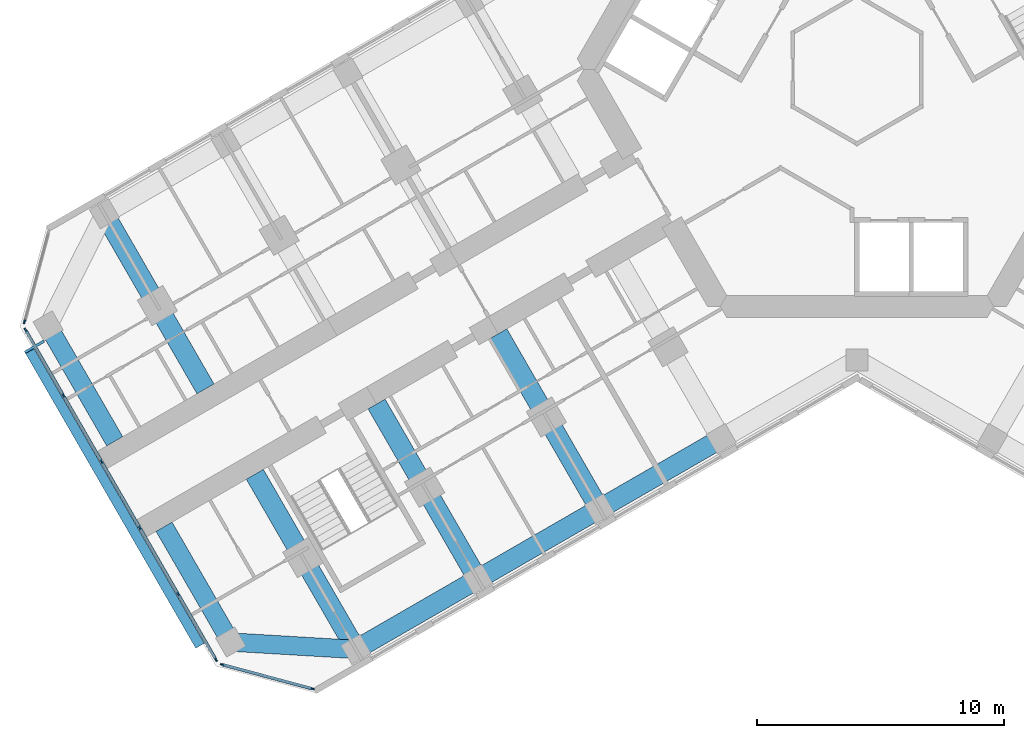
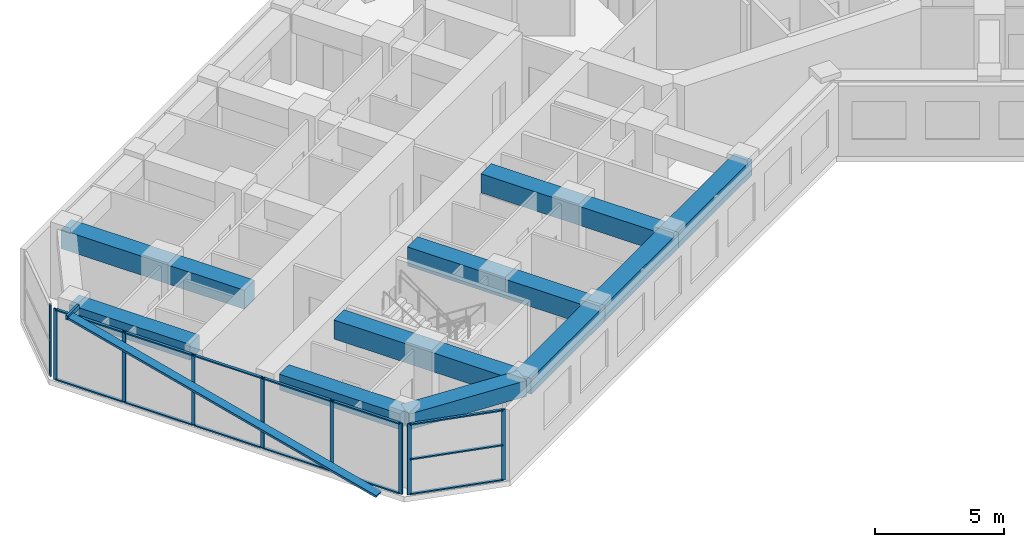
# One storey, part 2 of 19: 24 members, 10 beams, 3 elements without a shape of their own.
"""IFC4 building model written with IfcOpenShell, lengths in metres."""

import ifcopenshell
import ifcopenshell.guid

model = None  # the IFC model being written
_history = None  # IfcOwnerHistory: only IFC2X3 demands one
_inside = {}  # id of a spatial element -> (the spatial element, [elements in it])
_under = {}  # id of a project, library or spatial element -> (it, [spatial elements below it])
_declared = {}  # id of a project -> (the project, [libraries it declares])
_typed = {}  # id of a type object -> (the type object, [elements of that type])
_made_of = {}  # id of a material, layer set ... -> (it, [elements and type objects made of it])


def new_model(schema):
    """Start an empty IFC model of exactly this schema.

    Asked for "IFC4X3", IfcOpenShell would pick the latest addendum, in which some entities
    have other attributes; the version numbers below select the first issue.
    IFC2X3 requires an IfcOwnerHistory on every rooted entity: one is made here for all.
    """
    global model, _history
    if schema == "IFC4X3":
        model = ifcopenshell.file(schema_version=(4, 3, 0, 0))
    else:
        model = ifcopenshell.file(schema=schema)
    _inside.clear()
    _under.clear()
    _declared.clear()
    _typed.clear()
    _made_of.clear()
    _history = None
    if model.schema == "IFC2X3":
        org = make("IfcOrganization", Name="unknown")
        user = make(
            "IfcPersonAndOrganization",
            ThePerson=make("IfcPerson", FamilyName="unknown"),
            TheOrganization=org,
        )
        app = make(
            "IfcApplication",
            ApplicationDeveloper=org,
            Version="unknown",
            ApplicationFullName="unknown",
            ApplicationIdentifier="unknown",
        )
        _history = make(
            "IfcOwnerHistory",
            OwningUser=user,
            OwningApplication=app,
            ChangeAction="ADDED",
            CreationDate=0,
        )
    return model


def make(cls, **values):
    """One entity of the class cls with the attributes given. An attribute that is None is left unset."""
    return model.create_entity(
        cls, **{name: value for name, value in values.items() if value is not None}
    )


def rooted(cls, **values):
    """An entity with a GlobalId (a new one), such as an element, a storey or a relation."""
    return make(cls, GlobalId=ifcopenshell.guid.new(), OwnerHistory=_history, **values)


def si_unit(unit_type, name, prefix=None):
    """IfcSIUnit, for example si_unit("LENGTHUNIT", "METRE", prefix="MILLI")."""
    return make("IfcSIUnit", UnitType=unit_type, Prefix=prefix, Name=name)


def assignment(units):
    """IfcUnitAssignment: the units of a project."""
    return None if units is None else make("IfcUnitAssignment", Units=units)


def point(xyz):
    """IfcCartesianPoint."""
    return None if xyz is None else make("IfcCartesianPoint", Coordinates=xyz)


def direction(xyz):
    """IfcDirection."""
    return None if xyz is None else make("IfcDirection", DirectionRatios=xyz)


def frame(location, z_axis=None, x_axis=None):
    """IfcAxis2Placement3D, a coordinate frame: its origin and axes. An axis left out is left unset."""
    return make(
        "IfcAxis2Placement3D",
        Location=point(location),
        Axis=direction(z_axis),
        RefDirection=direction(x_axis),
    )


def frame_2d(location, x_axis=None):
    """IfcAxis2Placement2D, a coordinate frame in the plane: its origin and x axis."""
    return make(
        "IfcAxis2Placement2D", Location=point(location), RefDirection=direction(x_axis)
    )


def origin():
    """The frame at (0, 0, 0) with its axes left unset."""
    return frame((0.0, 0.0, 0.0))


def origin_2d():
    """The frame at (0, 0) in the plane with its x axis left unset."""
    return frame_2d((0.0, 0.0))


def place(relative_to, where):
    """IfcLocalPlacement: puts the frame where relative to a parent placement (None: the world)."""
    return make(
        "IfcLocalPlacement", PlacementRelTo=relative_to, RelativePlacement=where
    )


def context(
    kind, dimensions, precision=None, world=None, true_north=None, identifier=None
):
    """IfcGeometricRepresentationContext, for example the 3D "Model" context."""
    return make(
        "IfcGeometricRepresentationContext",
        ContextIdentifier=identifier,
        ContextType=kind,
        CoordinateSpaceDimension=dimensions,
        Precision=precision,
        WorldCoordinateSystem=world,
        TrueNorth=true_north,
    )


def subcontext(parent, identifier, kind, view, scale=None):
    """IfcGeometricRepresentationSubContext, for example "Body" below "Model"."""
    return make(
        "IfcGeometricRepresentationSubContext",
        ContextIdentifier=identifier,
        ContextType=kind,
        ParentContext=parent,
        TargetScale=scale,
        TargetView=view,
    )


def project(units=None, contexts=None):
    """IfcProject with its units and contexts."""
    return rooted(
        "IfcProject",
        Name="project",
        RepresentationContexts=contexts,
        UnitsInContext=assignment(units),
    )


def spatial(cls, under=None, at=None, **own):
    """A site, building, storey or space (cls), placed at a placement, below another one or the project."""
    s = rooted(cls, ObjectPlacement=at, **own)
    if under is not None:
        _under.setdefault(under.id(), (under, []))[1].append(s)
    return s


def profile(cls, at=None, kind="AREA", **sizes):
    """A parametric profile (cls). Its sizes go by their IFC names, for example OverallWidth=200.0."""
    return make(cls, ProfileType=kind, Position=at, **sizes)


def rectangle(**sizes):
    """IfcRectangleProfileDef."""
    return profile("IfcRectangleProfileDef", **sizes)


def hollow_rectangle(**sizes):
    """IfcRectangleHollowProfileDef."""
    return profile("IfcRectangleHollowProfileDef", **sizes)


def extrude(swept, where, along, depth):
    """IfcExtrudedAreaSolid: the profile swept, set in the frame where, extruded along a direction by depth."""
    return make(
        "IfcExtrudedAreaSolid",
        SweptArea=swept,
        Position=where,
        ExtrudedDirection=direction(along),
        Depth=depth,
    )


def shape(context_of_items, identifier, shape_type, items):
    """IfcShapeRepresentation: the items that make up one representation, for example the "Body"."""
    return make(
        "IfcShapeRepresentation",
        ContextOfItems=context_of_items,
        RepresentationIdentifier=identifier,
        RepresentationType=shape_type,
        Items=items,
    )


def material(Name=None, Category=None):
    """IfcMaterial."""
    return make("IfcMaterial", Name=Name, Category=Category)


def material_profile(
    of_material, cross_section, Name=None, Category=None, Priority=None
):
    """IfcMaterialProfile: a cross section and its material."""
    return make(
        "IfcMaterialProfile",
        Name=Name,
        Material=of_material,
        Profile=cross_section,
        Priority=Priority,
        Category=Category,
    )


def profile_set(profiles, Name=None, composite=None):
    """IfcMaterialProfileSet."""
    return make(
        "IfcMaterialProfileSet",
        Name=Name,
        MaterialProfiles=profiles,
        CompositeProfile=composite,
    )


def made_of(thing, what):
    """Note that an element or type object is made of a material, layer set ...; save() writes the relation."""
    if what is not None:
        _made_of.setdefault(what.id(), (what, []))[1].append(thing)
    return thing


def type_object(cls, material=None, **own):
    """A type object (cls), such as IfcWallType, which elements share."""
    return made_of(rooted(cls, **own), material)


def element(
    cls,
    number,
    at=None,
    inside=None,
    cuts=None,
    type_object=None,
    material=None,
    context=None,
    identifier="Body",
    shape_type=None,
    held_by="IfcProductDefinitionShape",
    body=None,
    shapes=None,
    **own,
):
    """One element of the class cls, such as IfcWall. Its Tag is "e" and its number.

    at: its placement. inside: the storey or other place that contains it. cuts: it is an
    opening in that element (IfcRelVoidsElement). A single representation is given by context,
    identifier, shape_type and body (its items); several are given by shapes. held_by: the class
    of the entity that holds the representations. save() writes the other relations.
    """
    e = rooted(cls, Tag="e%d" % number, ObjectPlacement=at, **own)
    if body is not None:
        shapes = [shape(context, identifier, shape_type, body)]
    if shapes is not None:
        e.Representation = make(held_by, Representations=shapes)
    if inside is not None:
        _inside.setdefault(inside.id(), (inside, []))[1].append(e)
    if cuts is not None:
        rooted(
            "IfcRelVoidsElement", RelatingBuildingElement=cuts, RelatedOpeningElement=e
        )
    if type_object is not None:
        _typed.setdefault(type_object.id(), (type_object, []))[1].append(e)
    return made_of(e, material)


def aggregate(whole, parts):
    """IfcRelAggregates: a whole, such as a stair, and the parts it consists of."""
    return rooted("IfcRelAggregates", RelatingObject=whole, RelatedObjects=parts)


def save(model, path):
    """Write the relations noted so far, then the file.

    IfcRelAggregates (storeys below a building ...), IfcRelContainedInSpatialStructure (elements
    in a storey), IfcRelDefinesByType, IfcRelAssociatesMaterial and IfcRelDeclares: one each for
    every whole, place, type object, material and project.
    """
    for whole, parts in _under.values():
        aggregate(whole, parts)
    for where, things in _inside.values():
        rooted(
            "IfcRelContainedInSpatialStructure",
            RelatedElements=things,
            RelatingStructure=where,
        )
    for kind, things in _typed.values():
        rooted("IfcRelDefinesByType", RelatedObjects=things, RelatingType=kind)
    for what, things in _made_of.values():
        rooted("IfcRelAssociatesMaterial", RelatedObjects=things, RelatingMaterial=what)
    for by, libraries in _declared.values():
        rooted("IfcRelDeclares", RelatingContext=by, RelatedDefinitions=libraries)
    model.write(path)


model = new_model("IFC4")

# Units and contexts
model_context = context("Model", 3, precision=1e-05, world=origin(), true_north=direction((0.0, 1.0)))
body_context = subcontext(model_context, "Body", "Model", "MODEL_VIEW")
ifc_project = project(units=[si_unit("LENGTHUNIT", "METRE"), si_unit("AREAUNIT", "SQUARE_METRE"), si_unit("VOLUMEUNIT", "CUBIC_METRE"), si_unit("PLANEANGLEUNIT", "RADIAN"), si_unit("MASSUNIT", "GRAM", prefix="KILO")], contexts=[model_context])

# Site, building, storey
site_placement = place(None, origin())
site = spatial("IfcSite", under=ifc_project, at=site_placement, CompositionType="ELEMENT")
building_placement = place(site_placement, origin())
building = spatial("IfcBuilding", under=site, at=building_placement, Name="Kosmar Iwan School Tower", CompositionType="ELEMENT")
storey_placement = place(building_placement, frame((0.0, 0.0, 149.0)))
storey = spatial("IfcBuildingStorey", under=building, at=storey_placement, Name="L37", CompositionType="ELEMENT", Elevation=149.0)

# Members
ifc_material_1 = material(Name="Black anodised aluminium", Category="aluminium")
ifc_material_profile_1 = material_profile(ifc_material_1, rectangle(XDim=0.10009765625, YDim=0.39990234375, at=origin_2d()), Name="FIN 100x400")
ifc_profile_set_1 = profile_set([ifc_material_profile_1], Name="Black anodised aluminium")
member_type_1 = type_object("IfcMemberType", Name="Diagonal fin 100x400", PredefinedType="USERDEFINED", material=ifc_profile_set_1)
member_1_placement = place(storey_placement, frame((-26.645263671875, -23.34912109375, -0.14990234375), z_axis=(-0.483795538458, 0.837973939202, 0.252470897702), x_axis=(0.126233699175, -0.218647221293, 0.967604488318)))
element("IfcMember", 1, at=member_1_placement, inside=storey, type_object=member_type_1, Name="Diagonal fin L37-F13", ObjectType="FIN", PredefinedType="USERDEFINED", context=body_context, shape_type="SweptSolid", body=[
    extrude(rectangle(XDim=0.10009765625, YDim=0.39990234375, at=origin_2d()), origin(), (0.0, 0.0, 1.0), 14.258544921875),
])
ifc_material_2 = material(Name="Steel S355", Category="steel")
ifc_material_profile_2 = material_profile(ifc_material_2, hollow_rectangle(XDim=0.10009765625, YDim=0.199951171875, WallThickness=0.008056640625, at=origin_2d()), Name="RHS 200x100x8")
ifc_profile_set_2 = profile_set([ifc_material_profile_2], Name="Steel S355")
member_type_2 = type_object("IfcMemberType", Name="Fin bracket RHS 200x100", PredefinedType="USERDEFINED", material=ifc_profile_set_2)
member_2_placement = place(storey_placement, frame((-32.963134765625, -11.006103515625, 3.47509765625), z_axis=(-0.866081705922, -0.499902469156, 0.0), x_axis=(0.499902469156, -0.866081705922, 0.0)))
element("IfcMember", 2, at=member_2_placement, inside=storey, type_object=member_type_2, Name="Fin bracket L38", ObjectType="FIN BRACKET", PredefinedType="USERDEFINED", context=body_context, shape_type="SweptSolid", body=[
    extrude(hollow_rectangle(XDim=0.10009765625, YDim=0.199951171875, WallThickness=0.008056640625, at=origin_2d()), origin(), (0.0, 0.0, 1.0), 0.900146484375),
])

# Curtain wall, member
ifc_material_3 = material(Name="Dark glass in black aluminium frame", Category="aluminium")
curtain_wall_type_1 = type_object("IfcCurtainWallType", Name="Chamfer curtain wall dark glass", PredefinedType="USERDEFINED", material=ifc_material_3)
curtain_wall_1_placement = place(storey_placement, origin())
curtain_wall_1 = element("IfcCurtainWall", 3, at=curtain_wall_1_placement, inside=storey, type_object=curtain_wall_type_1, Name="Curtain wall L37-F12", ObjectType="FACETED CURTAIN WALL", PredefinedType="USERDEFINED")
ifc_material_4 = material(Name="Black anodised aluminium", Category="aluminium")
ifc_material_profile_3 = material_profile(ifc_material_4, rectangle(XDim=0.06005859375, YDim=0.159912109375, at=origin_2d()), Name="MULLION 60x160")
ifc_profile_set_3 = profile_set([ifc_material_profile_3], Name="Black anodised aluminium")
member_type_3 = type_object("IfcMemberType", Name="Mullion 60x160", PredefinedType="MULLION", material=ifc_profile_set_3)
member_3_placement = place(storey_placement, frame((-33.7587890625, -10.2236328125, 0.0), z_axis=(0.0, 0.0, 1.0), x_axis=(0.965925875495, -0.258818861462, 0.0)))
member_3 = element("IfcMember", 4, at=member_3_placement, type_object=member_type_3, Name="CW2 mullion 2", PredefinedType="MULLION", context=body_context, shape_type="SweptSolid", body=[
    extrude(rectangle(XDim=0.06005859375, YDim=0.159912109375, at=origin_2d()), origin(), (0.0, 0.0, 1.0), 3.35009765625),
])
aggregate(curtain_wall_1, [member_3])

# Curtain wall, members
ifc_material_5 = material(Name="Dark glass in black aluminium frame", Category="aluminium")
curtain_wall_type_2 = type_object("IfcCurtainWallType", Name="Tower curtain wall dark glass", PredefinedType="USERDEFINED", material=ifc_material_5)
curtain_wall_2_placement = place(storey_placement, origin())
curtain_wall_2 = element("IfcCurtainWall", 5, at=curtain_wall_2_placement, inside=storey, type_object=curtain_wall_type_2, Name="Curtain wall L37-F13", ObjectType="UNITISED CURTAIN WALL", PredefinedType="USERDEFINED")
member_4_placement = place(storey_placement, frame((-33.71533203125, -10.55322265625, 0.0), z_axis=(0.0, 0.0, 1.0), x_axis=(0.866025405329, 0.499999997325, 0.0)))
member_4 = element("IfcMember", 6, at=member_4_placement, type_object=member_type_3, Name="CW1 mullion 1", PredefinedType="MULLION", context=body_context, shape_type="SweptSolid", body=[
    extrude(rectangle(XDim=0.06005859375, YDim=0.159912109375, at=origin_2d()), origin(), (0.0, 0.0, 1.0), 3.35009765625),
])
member_5_placement = place(storey_placement, frame((-32.1806640625, -13.21142578125, 0.0), z_axis=(0.0, 0.0, 1.0), x_axis=(0.866025405329, 0.499999997325, 0.0)))
member_5 = element("IfcMember", 7, at=member_5_placement, type_object=member_type_3, Name="CW1 mullion 2", PredefinedType="MULLION", context=body_context, shape_type="SweptSolid", body=[
    extrude(rectangle(XDim=0.06005859375, YDim=0.159912109375, at=origin_2d()), origin(), (0.0, 0.0, 1.0), 3.35009765625),
])
member_6_placement = place(storey_placement, frame((-30.631103515625, -15.8955078125, 0.0), z_axis=(0.0, 0.0, 1.0), x_axis=(0.866025405329, 0.499999997325, 0.0)))
member_6 = element("IfcMember", 8, at=member_6_placement, type_object=member_type_3, Name="CW1 mullion 3", PredefinedType="MULLION", context=body_context, shape_type="SweptSolid", body=[
    extrude(rectangle(XDim=0.06005859375, YDim=0.159912109375, at=origin_2d()), origin(), (0.0, 0.0, 1.0), 3.35009765625),
])
member_7_placement = place(storey_placement, frame((-29.081298828125, -18.57958984375, 0.0), z_axis=(0.0, 0.0, 1.0), x_axis=(0.866025405329, 0.499999997325, 0.0)))
member_7 = element("IfcMember", 9, at=member_7_placement, type_object=member_type_3, Name="CW1 mullion 4", PredefinedType="MULLION", context=body_context, shape_type="SweptSolid", body=[
    extrude(rectangle(XDim=0.06005859375, YDim=0.159912109375, at=origin_2d()), origin(), (0.0, 0.0, 1.0), 3.35009765625),
])
member_8_placement = place(storey_placement, frame((-27.53173828125, -21.263671875, 0.0), z_axis=(0.0, 0.0, 1.0), x_axis=(0.866025405329, 0.499999997325, 0.0)))
member_8 = element("IfcMember", 10, at=member_8_placement, type_object=member_type_3, Name="CW1 mullion 5", PredefinedType="MULLION", context=body_context, shape_type="SweptSolid", body=[
    extrude(rectangle(XDim=0.06005859375, YDim=0.159912109375, at=origin_2d()), origin(), (0.0, 0.0, 1.0), 3.35009765625),
])
member_9_placement = place(storey_placement, frame((-25.9970703125, -23.921630859375, 0.0), z_axis=(0.0, 0.0, 1.0), x_axis=(0.866025405329, 0.499999997325, 0.0)))
member_9 = element("IfcMember", 11, at=member_9_placement, type_object=member_type_3, Name="CW1 mullion 6", PredefinedType="MULLION", context=body_context, shape_type="SweptSolid", body=[
    extrude(rectangle(XDim=0.06005859375, YDim=0.159912109375, at=origin_2d()), origin(), (0.0, 0.0, 1.0), 3.35009765625),
])

curtain_wall_3_placement = place(storey_placement, origin())
curtain_wall_3 = element("IfcCurtainWall", 12, at=curtain_wall_3_placement, inside=storey, type_object=curtain_wall_type_1, Name="Curtain wall L37-F14", ObjectType="FACETED CURTAIN WALL", PredefinedType="USERDEFINED")
member_10_placement = place(storey_placement, frame((-25.733154296875, -24.124267578125, 0.0), z_axis=(0.0, 0.0, 1.0), x_axis=(0.258818861462, 0.965925875495, 0.0)))
member_10 = element("IfcMember", 13, at=member_10_placement, type_object=member_type_3, Name="CW2 mullion 1", PredefinedType="MULLION", context=body_context, shape_type="SweptSolid", body=[
    extrude(rectangle(XDim=0.06005859375, YDim=0.159912109375, at=origin_2d()), origin(), (0.0, 0.0, 1.0), 3.35009765625),
])
member_11_placement = place(storey_placement, frame((-22.0830078125, -25.102294921875, 0.0), z_axis=(0.0, 0.0, 1.0), x_axis=(0.258818861462, 0.965925875495, 0.0)))
member_11 = element("IfcMember", 14, at=member_11_placement, type_object=member_type_3, Name="CW2 mullion 2", PredefinedType="MULLION", context=body_context, shape_type="SweptSolid", body=[
    extrude(rectangle(XDim=0.06005859375, YDim=0.159912109375, at=origin_2d()), origin(), (0.0, 0.0, 1.0), 3.35009765625),
])

# Beams
ifc_material_6 = material(Name="Concrete C50/60", Category="concrete")
ifc_material_profile_4 = material_profile(ifc_material_6, rectangle(XDim=0.800048828125, YDim=0.75, at=origin_2d()), Name="RC 800x750")
ifc_profile_set_4 = profile_set([ifc_material_profile_4], Name="Concrete C50/60")
beam_type_1 = type_object("IfcBeamType", Name="RC edge beam 800x750", PredefinedType="BEAM", material=ifc_profile_set_4)
beam_1_placement = place(storey_placement, frame((-5.5087890625, -14.95849609375, 2.97509765625), z_axis=(-0.866033658841, -0.49998570155, 0.0), x_axis=(0.49998570155, -0.866033658841, 0.0)))
element("IfcBeam", 15, at=beam_1_placement, inside=storey, type_object=beam_type_1, Name="Edge beam BL2", PredefinedType="BEAM", context=body_context, shape_type="SweptSolid", body=[
    extrude(rectangle(XDim=0.800048828125, YDim=0.75, at=origin_2d()), origin(), (0.0, 0.0, 1.0), 5.699951171875),
])
beam_2_placement = place(storey_placement, frame((-10.445068359375, -17.808349609375, 2.97509765625), z_axis=(-0.866025820012, -0.499999279071, 0.0), x_axis=(0.499999279071, -0.866025820012, 0.0)))
element("IfcBeam", 16, at=beam_2_placement, inside=storey, type_object=beam_type_1, Name="Edge beam BL3", PredefinedType="BEAM", context=body_context, shape_type="SweptSolid", body=[
    extrude(rectangle(XDim=0.800048828125, YDim=0.75, at=origin_2d()), origin(), (0.0, 0.0, 1.0), 5.7001953125),
])
beam_3_placement = place(storey_placement, frame((-15.381591796875, -20.658447265625, 2.97509765625), z_axis=(-0.866015111908, -0.50001782563, 0.0), x_axis=(0.50001782563, -0.866015111908, 0.0)))
element("IfcBeam", 17, at=beam_3_placement, inside=storey, type_object=beam_type_1, Name="Edge beam BL4", PredefinedType="BEAM", context=body_context, shape_type="SweptSolid", body=[
    extrude(rectangle(XDim=0.800048828125, YDim=0.75, at=origin_2d()), origin(), (0.0, 0.0, 1.0), 5.699951171875),
])
ifc_material_7 = material(Name="Concrete C50/60", Category="concrete")
ifc_material_profile_5 = material_profile(ifc_material_7, rectangle(XDim=0.75, YDim=0.75, at=origin_2d()), Name="RC 750x750")
ifc_profile_set_5 = profile_set([ifc_material_profile_5], Name="Concrete C50/60")
beam_type_2 = type_object("IfcBeamType", Name="RC tip beam 750x750", PredefinedType="BEAM", material=ifc_profile_set_5)
beam_4_placement = place(storey_placement, frame((-20.31787109375, -23.508544921875, 2.97509765625), z_axis=(-0.998260616478, 0.058955420358, 0.0), x_axis=(-0.058955420358, -0.998260616478, 0.0)))
element("IfcBeam", 18, at=beam_4_placement, inside=storey, type_object=beam_type_2, Name="Tip beam BL", PredefinedType="BEAM", context=body_context, shape_type="SweptSolid", body=[
    extrude(rectangle(XDim=0.75, YDim=0.75, at=origin_2d()), origin(), (0.0, 0.0, 1.0), 5.08935546875),
])
for number, where, z_axis, x_axis, name in (
    (19, (-25.3984375, -23.20849609375, 2.97509765625), (-0.499995103361, 0.866028230842, 0.0), (-0.866028230842, -0.499995103361, 0.0), "Tip beam BL to corridor wall"),
    (20, (-32.79833984375, -10.391357421875, 2.97509765625), (0.499995103361, -0.866028230842, 0.0), (0.866028230842, 0.499995103361, 0.0), "Tip beam BR to corridor wall"),
):
    element("IfcBeam", number, at=place(storey_placement, frame(where, z_axis=z_axis, x_axis=x_axis)), inside=storey, type_object=beam_type_2, Name=name, PredefinedType="BEAM", context=body_context, shape_type="SweptSolid", body=[
        extrude(rectangle(XDim=0.75, YDim=0.75, at=origin_2d()), origin(), (0.0, 0.0, 1.0), 5.39990234375),
    ])
ifc_material_8 = material(Name="Concrete C50/60", Category="concrete")
ifc_material_profile_6 = material_profile(ifc_material_8, rectangle(XDim=0.800048828125, YDim=0.89990234375, at=origin_2d()), Name="RC 800x900")
ifc_profile_set_6 = profile_set([ifc_material_profile_6], Name="Concrete C50/60")
beam_type_3 = type_object("IfcBeamType", Name="RC transverse beam 800x900", PredefinedType="BEAM", material=ifc_profile_set_6)
for number, where, z_axis, x_axis, name in (
    (21, (-10.445068359375, -17.808349609375, 2.89990234375), (-0.500013681986, 0.866017504342, 0.0), (-0.866017504342, -0.500013681986, 0.0), "Transverse beam BL2"),
    (22, (-15.381591796875, -20.658447265625, 2.89990234375), (-0.49999135188, 0.866030396721, 0.0), (-0.866030396721, -0.49999135188, 0.0), "Transverse beam BL3"),
    (23, (-20.31787109375, -23.508544921875, 2.89990234375), (-0.499978459874, 0.866037839625, 0.0), (-0.866037839625, -0.499978459874, 0.0), "Transverse beam BL4"),
    (24, (-30.517822265625, -5.841552734375, 2.89990234375), (0.500013681986, -0.866017504342, 0.0), (0.866017504342, 0.500013681986, 0.0), "Transverse beam BR4"),
):
    element("IfcBeam", number, at=place(storey_placement, frame(where, z_axis=z_axis, x_axis=x_axis)), inside=storey, type_object=beam_type_3, Name=name, PredefinedType="BEAM", context=body_context, shape_type="SweptSolid", body=[
        extrude(rectangle(XDim=0.800048828125, YDim=0.89990234375, at=origin_2d()), origin(), (0.0, 0.0, 1.0), 8.199951171875),
    ])

# Member
ifc_material_9 = material(Name="Black anodised aluminium", Category="aluminium")
ifc_material_profile_7 = material_profile(ifc_material_9, rectangle(XDim=0.1201171875, YDim=0.06005859375, at=origin_2d()), Name="TRANSOM 60x120")
ifc_profile_set_7 = profile_set([ifc_material_profile_7], Name="Black anodised aluminium")
member_type_4 = type_object("IfcMemberType", Name="Transom 60x120", PredefinedType="USERDEFINED", material=ifc_profile_set_7)
member_12_placement = place(storey_placement, frame((-33.700439453125, -10.579345703125, 0.030029296875), z_axis=(0.500022102064, -0.866012642776, 0.0), x_axis=(0.866012642776, 0.500022102064, 0.0)))
member_12 = element("IfcMember", 25, at=member_12_placement, type_object=member_type_4, Name="CW1 transom 1.1", ObjectType="TRANSOM", PredefinedType="USERDEFINED", context=body_context, shape_type="SweptSolid", body=[
    extrude(rectangle(XDim=0.1201171875, YDim=0.06005859375, at=origin_2d()), origin(), (0.0, 0.0, 1.0), 3.009033203125),
])

member_13_placement = place(storey_placement, frame((-33.700439453125, -10.579345703125, 3.320068359375), z_axis=(0.500022102064, -0.866012642776, 0.0), x_axis=(0.866012642776, 0.500022102064, 0.0)))
member_13 = element("IfcMember", 26, at=member_13_placement, type_object=member_type_4, Name="CW1 transom 1.2", ObjectType="TRANSOM", PredefinedType="USERDEFINED", context=body_context, shape_type="SweptSolid", body=[
    extrude(rectangle(XDim=0.1201171875, YDim=0.06005859375, at=origin_2d()), origin(), (0.0, 0.0, 1.0), 3.009033203125),
])

member_14_placement = place(storey_placement, frame((-32.165771484375, -13.2373046875, 0.030029296875), z_axis=(0.500035348339, -0.866004994449, 0.0), x_axis=(0.866004994449, 0.500035348339, 0.0)))
member_14 = element("IfcMember", 27, at=member_14_placement, type_object=member_type_4, Name="CW1 transom 2.1", ObjectType="TRANSOM", PredefinedType="USERDEFINED", context=body_context, shape_type="SweptSolid", body=[
    extrude(rectangle(XDim=0.1201171875, YDim=0.06005859375, at=origin_2d()), origin(), (0.0, 0.0, 1.0), 3.039306640625),
])

member_15_placement = place(storey_placement, frame((-32.165771484375, -13.2373046875, 3.320068359375), z_axis=(0.500035348339, -0.866004994449, 0.0), x_axis=(0.866004994449, 0.500035348339, 0.0)))
member_15 = element("IfcMember", 28, at=member_15_placement, type_object=member_type_4, Name="CW1 transom 2.2", ObjectType="TRANSOM", PredefinedType="USERDEFINED", context=body_context, shape_type="SweptSolid", body=[
    extrude(rectangle(XDim=0.1201171875, YDim=0.06005859375, at=origin_2d()), origin(), (0.0, 0.0, 1.0), 3.039306640625),
])

member_16_placement = place(storey_placement, frame((-30.615966796875, -15.92138671875, 0.030029296875), z_axis=(0.499975102327, -0.866039777986, 0.0), x_axis=(0.866039777986, 0.499975102327, 0.0)))
member_16 = element("IfcMember", 29, at=member_16_placement, type_object=member_type_4, Name="CW1 transom 3.1", ObjectType="TRANSOM", PredefinedType="USERDEFINED", context=body_context, shape_type="SweptSolid", body=[
    extrude(rectangle(XDim=0.1201171875, YDim=0.06005859375, at=origin_2d()), origin(), (0.0, 0.0, 1.0), 3.039306640625),
])

member_17_placement = place(storey_placement, frame((-30.615966796875, -15.92138671875, 3.320068359375), z_axis=(0.499975102327, -0.866039777986, 0.0), x_axis=(0.866039777986, 0.499975102327, 0.0)))
member_17 = element("IfcMember", 30, at=member_17_placement, type_object=member_type_4, Name="CW1 transom 3.2", ObjectType="TRANSOM", PredefinedType="USERDEFINED", context=body_context, shape_type="SweptSolid", body=[
    extrude(rectangle(XDim=0.1201171875, YDim=0.06005859375, at=origin_2d()), origin(), (0.0, 0.0, 1.0), 3.039306640625),
])

member_18_placement = place(storey_placement, frame((-29.06640625, -18.60546875, 0.030029296875), z_axis=(0.499975102327, -0.866039777986, 0.0), x_axis=(0.866039777986, 0.499975102327, 0.0)))
member_18 = element("IfcMember", 31, at=member_18_placement, type_object=member_type_4, Name="CW1 transom 4.1", ObjectType="TRANSOM", PredefinedType="USERDEFINED", context=body_context, shape_type="SweptSolid", body=[
    extrude(rectangle(XDim=0.1201171875, YDim=0.06005859375, at=origin_2d()), origin(), (0.0, 0.0, 1.0), 3.039306640625),
])

member_19_placement = place(storey_placement, frame((-29.06640625, -18.60546875, 3.320068359375), z_axis=(0.499975102327, -0.866039777986, 0.0), x_axis=(0.866039777986, 0.499975102327, 0.0)))
member_19 = element("IfcMember", 32, at=member_19_placement, type_object=member_type_4, Name="CW1 transom 4.2", ObjectType="TRANSOM", PredefinedType="USERDEFINED", context=body_context, shape_type="SweptSolid", body=[
    extrude(rectangle(XDim=0.1201171875, YDim=0.06005859375, at=origin_2d()), origin(), (0.0, 0.0, 1.0), 3.039306640625),
])

member_20_placement = place(storey_placement, frame((-27.516845703125, -21.28955078125, 0.030029296875), z_axis=(0.499986971506, -0.866032925658, 0.0), x_axis=(0.866032925658, 0.499986971506, 0.0)))
member_20 = element("IfcMember", 33, at=member_20_placement, type_object=member_type_4, Name="CW1 transom 5.1", ObjectType="TRANSOM", PredefinedType="USERDEFINED", context=body_context, shape_type="SweptSolid", body=[
    extrude(rectangle(XDim=0.1201171875, YDim=0.06005859375, at=origin_2d()), origin(), (0.0, 0.0, 1.0), 3.00927734375),
])

member_21_placement = place(storey_placement, frame((-27.516845703125, -21.28955078125, 3.320068359375), z_axis=(0.499986971506, -0.866032925658, 0.0), x_axis=(0.866032925658, 0.499986971506, 0.0)))
member_21 = element("IfcMember", 34, at=member_21_placement, type_object=member_type_4, Name="CW1 transom 5.2", ObjectType="TRANSOM", PredefinedType="USERDEFINED", context=body_context, shape_type="SweptSolid", body=[
    extrude(rectangle(XDim=0.1201171875, YDim=0.06005859375, at=origin_2d()), origin(), (0.0, 0.0, 1.0), 3.00927734375),
])

aggregate(curtain_wall_2, [member_4, member_5, member_6, member_7, member_8, member_9, member_12, member_13, member_14, member_15, member_16, member_17, member_18, member_19, member_20, member_21])

member_22_placement = place(storey_placement, frame((-25.704345703125, -24.1318359375, 0.030029296875), z_axis=(0.965923731726, -0.258826861991, 0.0), x_axis=(0.258826861991, 0.965923731726, 0.0)))
member_22 = element("IfcMember", 35, at=member_22_placement, type_object=member_type_4, Name="CW2 transom 1.1", ObjectType="TRANSOM", PredefinedType="USERDEFINED", context=body_context, shape_type="SweptSolid", body=[
    extrude(rectangle(XDim=0.1201171875, YDim=0.06005859375, at=origin_2d()), origin(), (0.0, 0.0, 1.0), 3.71923828125),
])

member_23_placement = place(storey_placement, frame((-25.704345703125, -24.1318359375, 1.675048828125), z_axis=(0.965923731726, -0.258826861991, 0.0), x_axis=(0.258826861991, 0.965923731726, 0.0)))
member_23 = element("IfcMember", 36, at=member_23_placement, type_object=member_type_4, Name="CW2 transom 1.2", ObjectType="TRANSOM", PredefinedType="USERDEFINED", context=body_context, shape_type="SweptSolid", body=[
    extrude(rectangle(XDim=0.1201171875, YDim=0.06005859375, at=origin_2d()), origin(), (0.0, 0.0, 1.0), 3.71923828125),
])

member_24_placement = place(storey_placement, frame((-25.704345703125, -24.1318359375, 3.320068359375), z_axis=(0.965923731726, -0.258826861991, 0.0), x_axis=(0.258826861991, 0.965923731726, 0.0)))
member_24 = element("IfcMember", 37, at=member_24_placement, type_object=member_type_4, Name="CW2 transom 1.3", ObjectType="TRANSOM", PredefinedType="USERDEFINED", context=body_context, shape_type="SweptSolid", body=[
    extrude(rectangle(XDim=0.1201171875, YDim=0.06005859375, at=origin_2d()), origin(), (0.0, 0.0, 1.0), 3.71923828125),
])

aggregate(curtain_wall_3, [member_10, member_11, member_22, member_23, member_24])

save(model, "model.ifc")
